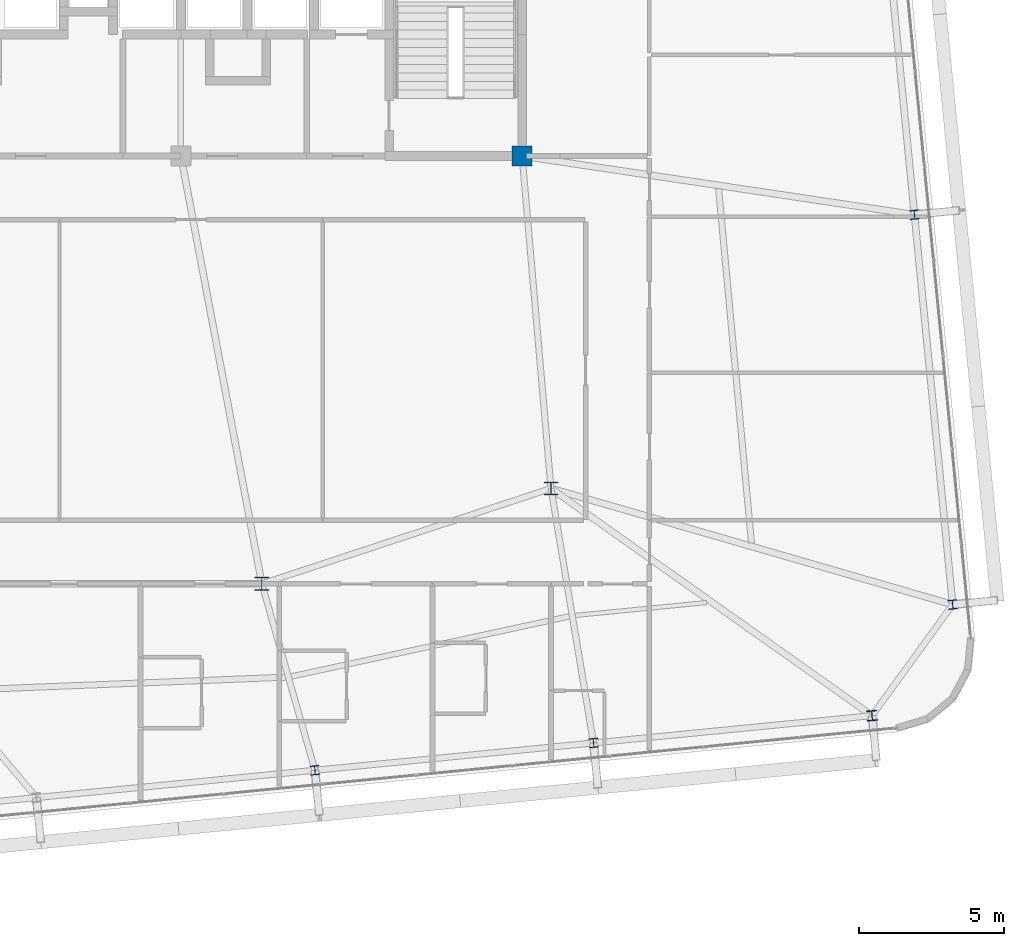
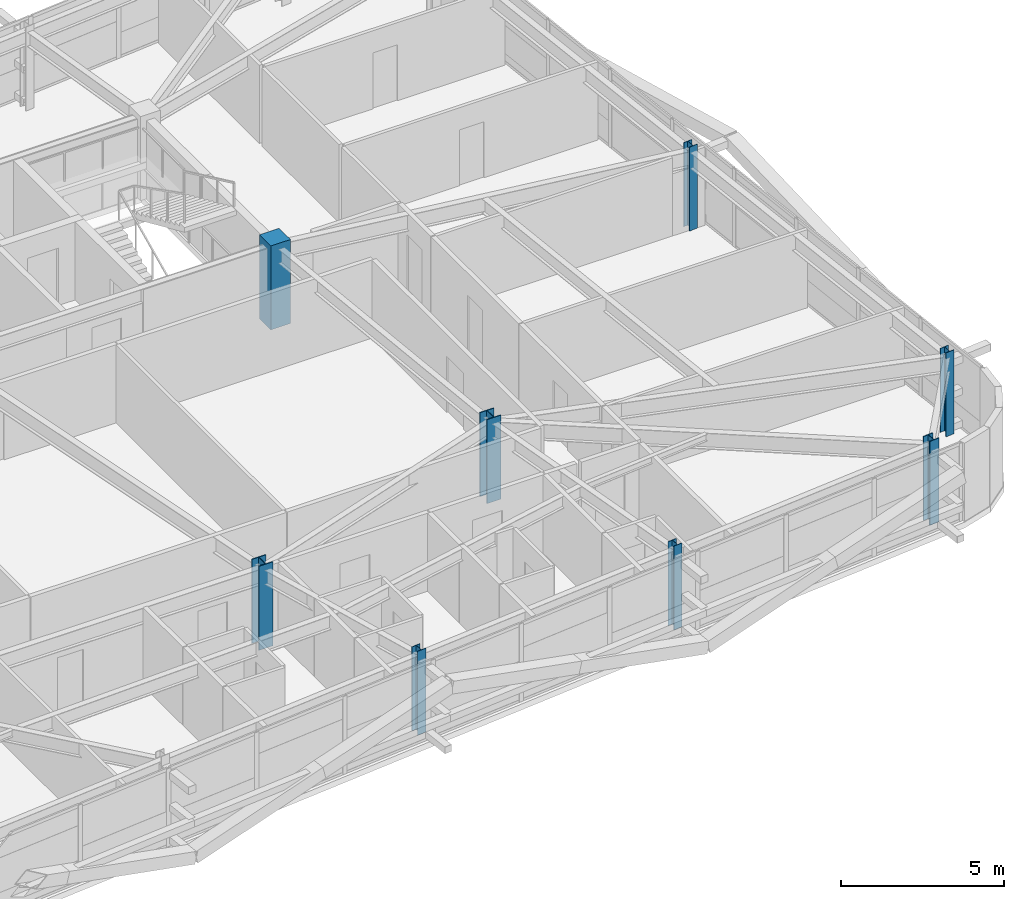
# One storey, part 2 of 53: 8 columns.
"""IFC4 building model written with IfcOpenShell, lengths in metres."""

import ifcopenshell
import ifcopenshell.guid

model = None  # the IFC model being written
_history = None  # IfcOwnerHistory: only IFC2X3 demands one
_inside = {}  # id of a spatial element -> (the spatial element, [elements in it])
_under = {}  # id of a project, library or spatial element -> (it, [spatial elements below it])
_declared = {}  # id of a project -> (the project, [libraries it declares])
_typed = {}  # id of a type object -> (the type object, [elements of that type])
_made_of = {}  # id of a material, layer set ... -> (it, [elements and type objects made of it])


def new_model(schema):
    """Start an empty IFC model of exactly this schema.

    Asked for "IFC4X3", IfcOpenShell would pick the latest addendum, in which some entities
    have other attributes; the version numbers below select the first issue.
    IFC2X3 requires an IfcOwnerHistory on every rooted entity: one is made here for all.
    """
    global model, _history
    if schema == "IFC4X3":
        model = ifcopenshell.file(schema_version=(4, 3, 0, 0))
    else:
        model = ifcopenshell.file(schema=schema)
    _inside.clear()
    _under.clear()
    _declared.clear()
    _typed.clear()
    _made_of.clear()
    _history = None
    if model.schema == "IFC2X3":
        org = make("IfcOrganization", Name="unknown")
        user = make(
            "IfcPersonAndOrganization",
            ThePerson=make("IfcPerson", FamilyName="unknown"),
            TheOrganization=org,
        )
        app = make(
            "IfcApplication",
            ApplicationDeveloper=org,
            Version="unknown",
            ApplicationFullName="unknown",
            ApplicationIdentifier="unknown",
        )
        _history = make(
            "IfcOwnerHistory",
            OwningUser=user,
            OwningApplication=app,
            ChangeAction="ADDED",
            CreationDate=0,
        )
    return model


def make(cls, **values):
    """One entity of the class cls with the attributes given. An attribute that is None is left unset."""
    return model.create_entity(
        cls, **{name: value for name, value in values.items() if value is not None}
    )


def rooted(cls, **values):
    """An entity with a GlobalId (a new one), such as an element, a storey or a relation."""
    return make(cls, GlobalId=ifcopenshell.guid.new(), OwnerHistory=_history, **values)


def si_unit(unit_type, name, prefix=None):
    """IfcSIUnit, for example si_unit("LENGTHUNIT", "METRE", prefix="MILLI")."""
    return make("IfcSIUnit", UnitType=unit_type, Prefix=prefix, Name=name)


def assignment(units):
    """IfcUnitAssignment: the units of a project."""
    return None if units is None else make("IfcUnitAssignment", Units=units)


def point(xyz):
    """IfcCartesianPoint."""
    return None if xyz is None else make("IfcCartesianPoint", Coordinates=xyz)


def direction(xyz):
    """IfcDirection."""
    return None if xyz is None else make("IfcDirection", DirectionRatios=xyz)


def frame(location, z_axis=None, x_axis=None):
    """IfcAxis2Placement3D, a coordinate frame: its origin and axes. An axis left out is left unset."""
    return make(
        "IfcAxis2Placement3D",
        Location=point(location),
        Axis=direction(z_axis),
        RefDirection=direction(x_axis),
    )


def frame_2d(location, x_axis=None):
    """IfcAxis2Placement2D, a coordinate frame in the plane: its origin and x axis."""
    return make(
        "IfcAxis2Placement2D", Location=point(location), RefDirection=direction(x_axis)
    )


def origin():
    """The frame at (0, 0, 0) with its axes left unset."""
    return frame((0.0, 0.0, 0.0))


def origin_2d():
    """The frame at (0, 0) in the plane with its x axis left unset."""
    return frame_2d((0.0, 0.0))


def place(relative_to, where):
    """IfcLocalPlacement: puts the frame where relative to a parent placement (None: the world)."""
    return make(
        "IfcLocalPlacement", PlacementRelTo=relative_to, RelativePlacement=where
    )


def context(
    kind, dimensions, precision=None, world=None, true_north=None, identifier=None
):
    """IfcGeometricRepresentationContext, for example the 3D "Model" context."""
    return make(
        "IfcGeometricRepresentationContext",
        ContextIdentifier=identifier,
        ContextType=kind,
        CoordinateSpaceDimension=dimensions,
        Precision=precision,
        WorldCoordinateSystem=world,
        TrueNorth=true_north,
    )


def subcontext(parent, identifier, kind, view, scale=None):
    """IfcGeometricRepresentationSubContext, for example "Body" below "Model"."""
    return make(
        "IfcGeometricRepresentationSubContext",
        ContextIdentifier=identifier,
        ContextType=kind,
        ParentContext=parent,
        TargetScale=scale,
        TargetView=view,
    )


def project(units=None, contexts=None):
    """IfcProject with its units and contexts."""
    return rooted(
        "IfcProject",
        Name="project",
        RepresentationContexts=contexts,
        UnitsInContext=assignment(units),
    )


def spatial(cls, under=None, at=None, **own):
    """A site, building, storey or space (cls), placed at a placement, below another one or the project."""
    s = rooted(cls, ObjectPlacement=at, **own)
    if under is not None:
        _under.setdefault(under.id(), (under, []))[1].append(s)
    return s


def profile(cls, at=None, kind="AREA", **sizes):
    """A parametric profile (cls). Its sizes go by their IFC names, for example OverallWidth=200.0."""
    return make(cls, ProfileType=kind, Position=at, **sizes)


def rectangle(**sizes):
    """IfcRectangleProfileDef."""
    return profile("IfcRectangleProfileDef", **sizes)


def i_section(**sizes):
    """IfcIShapeProfileDef."""
    return profile("IfcIShapeProfileDef", **sizes)


def extrude(swept, where, along, depth):
    """IfcExtrudedAreaSolid: the profile swept, set in the frame where, extruded along a direction by depth."""
    return make(
        "IfcExtrudedAreaSolid",
        SweptArea=swept,
        Position=where,
        ExtrudedDirection=direction(along),
        Depth=depth,
    )


def shape(context_of_items, identifier, shape_type, items):
    """IfcShapeRepresentation: the items that make up one representation, for example the "Body"."""
    return make(
        "IfcShapeRepresentation",
        ContextOfItems=context_of_items,
        RepresentationIdentifier=identifier,
        RepresentationType=shape_type,
        Items=items,
    )


def source(mapping_origin, context_of_items, identifier, shape_type, items):
    """IfcRepresentationMap: a shape defined once, which mapped items show again and again."""
    return make(
        "IfcRepresentationMap",
        MappingOrigin=mapping_origin,
        MappedRepresentation=shape(context_of_items, identifier, shape_type, items),
    )


def transform(
    local_origin,
    x_axis=None,
    y_axis=None,
    z_axis=None,
    scale=None,
    scale2=None,
    scale3=None,
    uniform=True,
):
    """IfcCartesianTransformationOperator3D, or its non-uniform kind. x_axis, y_axis, z_axis: its Axis1, 2, 3."""
    if uniform:
        return make(
            "IfcCartesianTransformationOperator3D",
            Axis1=direction(x_axis),
            Axis2=direction(y_axis),
            LocalOrigin=point(local_origin),
            Scale=scale,
            Axis3=direction(z_axis),
        )
    return make(
        "IfcCartesianTransformationOperator3DnonUniform",
        Axis1=direction(x_axis),
        Axis2=direction(y_axis),
        LocalOrigin=point(local_origin),
        Scale=scale,
        Axis3=direction(z_axis),
        Scale2=scale2,
        Scale3=scale3,
    )


def mapped(mapping_source, mapping_target):
    """IfcMappedItem: shows the shape of a source again, moved by a transform."""
    return make(
        "IfcMappedItem", MappingSource=mapping_source, MappingTarget=mapping_target
    )


def material(Name=None, Category=None):
    """IfcMaterial."""
    return make("IfcMaterial", Name=Name, Category=Category)


def material_profile(
    of_material, cross_section, Name=None, Category=None, Priority=None
):
    """IfcMaterialProfile: a cross section and its material."""
    return make(
        "IfcMaterialProfile",
        Name=Name,
        Material=of_material,
        Profile=cross_section,
        Priority=Priority,
        Category=Category,
    )


def profile_set(profiles, Name=None, composite=None):
    """IfcMaterialProfileSet."""
    return make(
        "IfcMaterialProfileSet",
        Name=Name,
        MaterialProfiles=profiles,
        CompositeProfile=composite,
    )


def made_of(thing, what):
    """Note that an element or type object is made of a material, layer set ...; save() writes the relation."""
    if what is not None:
        _made_of.setdefault(what.id(), (what, []))[1].append(thing)
    return thing


def type_object(cls, material=None, **own):
    """A type object (cls), such as IfcWallType, which elements share."""
    return made_of(rooted(cls, **own), material)


def element(
    cls,
    number,
    at=None,
    inside=None,
    cuts=None,
    type_object=None,
    material=None,
    context=None,
    identifier="Body",
    shape_type=None,
    held_by="IfcProductDefinitionShape",
    body=None,
    shapes=None,
    **own,
):
    """One element of the class cls, such as IfcWall. Its Tag is "e" and its number.

    at: its placement. inside: the storey or other place that contains it. cuts: it is an
    opening in that element (IfcRelVoidsElement). A single representation is given by context,
    identifier, shape_type and body (its items); several are given by shapes. held_by: the class
    of the entity that holds the representations. save() writes the other relations.
    """
    e = rooted(cls, Tag="e%d" % number, ObjectPlacement=at, **own)
    if body is not None:
        shapes = [shape(context, identifier, shape_type, body)]
    if shapes is not None:
        e.Representation = make(held_by, Representations=shapes)
    if inside is not None:
        _inside.setdefault(inside.id(), (inside, []))[1].append(e)
    if cuts is not None:
        rooted(
            "IfcRelVoidsElement", RelatingBuildingElement=cuts, RelatedOpeningElement=e
        )
    if type_object is not None:
        _typed.setdefault(type_object.id(), (type_object, []))[1].append(e)
    return made_of(e, material)


def aggregate(whole, parts):
    """IfcRelAggregates: a whole, such as a stair, and the parts it consists of."""
    return rooted("IfcRelAggregates", RelatingObject=whole, RelatedObjects=parts)


def save(model, path):
    """Write the relations noted so far, then the file.

    IfcRelAggregates (storeys below a building ...), IfcRelContainedInSpatialStructure (elements
    in a storey), IfcRelDefinesByType, IfcRelAssociatesMaterial and IfcRelDeclares: one each for
    every whole, place, type object, material and project.
    """
    for whole, parts in _under.values():
        aggregate(whole, parts)
    for where, things in _inside.values():
        rooted(
            "IfcRelContainedInSpatialStructure",
            RelatedElements=things,
            RelatingStructure=where,
        )
    for kind, things in _typed.values():
        rooted("IfcRelDefinesByType", RelatedObjects=things, RelatingType=kind)
    for what, things in _made_of.values():
        rooted("IfcRelAssociatesMaterial", RelatedObjects=things, RelatingMaterial=what)
    for by, libraries in _declared.values():
        rooted("IfcRelDeclares", RelatingContext=by, RelatedDefinitions=libraries)
    model.write(path)


model = new_model("IFC4")

# Units and contexts
model_context = context("Model", 3, precision=1e-05, world=origin(), true_north=direction((0.0, 1.0)))
body_context = subcontext(model_context, "Body", "Model", "MODEL_VIEW")
ifc_project = project(units=[si_unit("LENGTHUNIT", "METRE"), si_unit("AREAUNIT", "SQUARE_METRE"), si_unit("VOLUMEUNIT", "CUBIC_METRE"), si_unit("PLANEANGLEUNIT", "RADIAN"), si_unit("MASSUNIT", "GRAM", prefix="KILO")], contexts=[model_context])

# Site, building, storey
site_placement = place(None, origin())
site = spatial("IfcSite", under=ifc_project, at=site_placement, CompositionType="ELEMENT")
building_placement = place(site_placement, origin())
building = spatial("IfcBuilding", under=site, at=building_placement, Name="Taldren Reach Tower", CompositionType="ELEMENT")
storey_placement = place(building_placement, frame((0.0, 0.0, 68.25)))
storey = spatial("IfcBuildingStorey", under=building, at=storey_placement, Name="L20", CompositionType="ELEMENT", Elevation=68.25)

# Columns
ifc_material_1 = material(Name="Steel Gr 350 (350PLUS)", Category="steel")
ifc_material_profile_1 = material_profile(ifc_material_1, i_section(OverallWidth=0.5, OverallDepth=0.464111328125, WebThickness=0.02197265625, FlangeThickness=0.033935546875, at=origin_2d()), Name="500WC340")
ifc_profile_set_1 = profile_set([ifc_material_profile_1], Name="Steel Gr 350 (350PLUS)")
column_type_1 = type_object("IfcColumnType", Name="COL-WC500B", PredefinedType="COLUMN", material=ifc_profile_set_1)
shared_shape_1 = source(origin(), body_context, "Body", "SweptSolid", [
    extrude(i_section(OverallWidth=0.5, OverallDepth=0.464111328125, WebThickness=0.02197265625, FlangeThickness=0.033935546875, at=origin_2d()), origin(), (0.0, 0.0, 1.0), 3.14990234375),
])
for number, where, z_axis, x_axis, name in (
    (1, (42.0, 9.199951171875, 0.0), (0.0, 0.0, 1.0), (1.0, 0.0, 0.0), "Mega column MC-PJE L20"),
    (2, (52.0, 12.5, 0.0), (0.0, 0.0, 1.0), (1.0, 0.0, 0.0), "Mega column MC-SE L20"),
):
    element("IfcColumn", number, at=place(storey_placement, frame(where, z_axis=z_axis, x_axis=x_axis)), inside=storey, type_object=column_type_1, Name=name, PredefinedType="COLUMN", context=body_context, shape_type="MappedRepresentation", body=[
        mapped(shared_shape_1, transform((0.0, 0.0, 0.0), scale=1.0)),
    ])
ifc_material_2 = material(Name="Concrete S65 (65 MPa)", Category="concrete")
ifc_material_profile_2 = material_profile(ifc_material_2, rectangle(XDim=0.699951171875, YDim=0.699951171875, at=origin_2d()), Name="RC-700x700")
ifc_profile_set_2 = profile_set([ifc_material_profile_2], Name="Concrete S65 (65 MPa)")
column_type_2 = type_object("IfcColumnType", Name="COL-RC700", PredefinedType="COLUMN", material=ifc_profile_set_2)
shared_shape_2 = source(origin(), body_context, "Body", "SweptSolid", [
    extrude(rectangle(XDim=0.699951171875, YDim=0.699951171875, at=origin_2d()), origin(), (0.0, 0.0, 1.0), 3.14990234375),
])
column_1_placement = place(storey_placement, frame((51.0, 24.0, 0.0), z_axis=(0.0, 0.0, 1.0), x_axis=(1.0, 0.0, 0.0)))
element("IfcColumn", 3, at=column_1_placement, inside=storey, type_object=column_type_2, Name="Mega column MC-C4 L20", PredefinedType="COLUMN", context=body_context, shape_type="MappedRepresentation", body=[
    mapped(shared_shape_2, transform((0.0, 0.0, 0.0), scale=1.0)),
])
ifc_material_profile_3 = material_profile(ifc_material_1, i_section(OverallWidth=0.35009765625, OverallDepth=0.35595703125, WebThickness=0.01806640625, FlangeThickness=0.028076171875, at=origin_2d()), Name="350WC197")
ifc_profile_set_3 = profile_set([ifc_material_profile_3], Name="Steel Gr 350 (350PLUS)")
column_type_3 = type_object("IfcColumnType", Name="COL-WC350", PredefinedType="COLUMN", material=ifc_profile_set_3)
shared_shape_3 = source(origin(), body_context, "Body", "SweptSolid", [
    extrude(i_section(OverallWidth=0.35009765625, OverallDepth=0.35595703125, WebThickness=0.01806640625, FlangeThickness=0.028076171875, at=origin_2d()), origin(), (0.0, 0.0, 1.0), 3.14990234375),
])
column_2_placement = place(storey_placement, frame((63.103271484375, 4.64306640625, 0.0), z_axis=(0.0, 0.0, 1.0), x_axis=(0.995227399982, 0.097582899759, 0.0)))
element("IfcColumn", 4, at=column_2_placement, inside=storey, type_object=column_type_3, Name="Block B2 perimeter column S6 L20", PredefinedType="COLUMN", context=body_context, shape_type="MappedRepresentation", body=[
    mapped(shared_shape_3, transform((0.0, 0.0, 0.0), scale=1.0)),
])
ifc_material_profile_4 = material_profile(ifc_material_1, i_section(OverallWidth=0.306884765625, OverallDepth=0.31494140625, WebThickness=0.011962890625, FlangeThickness=0.018798828125, at=origin_2d()), Name="310UC118")
ifc_profile_set_4 = profile_set([ifc_material_profile_4], Name="Steel Gr 350 (350PLUS)")
column_type_4 = type_object("IfcColumnType", Name="COL-UC310B", PredefinedType="COLUMN", material=ifc_profile_set_4)
shared_shape_4 = source(origin(), body_context, "Body", "SweptSolid", [
    extrude(i_section(OverallWidth=0.306884765625, OverallDepth=0.31494140625, WebThickness=0.011962890625, FlangeThickness=0.018798828125, at=origin_2d()), origin(), (0.0, 0.0, 1.0), 3.14990234375),
])
for number, where, z_axis, x_axis, name in (
    (5, (43.83544921875, 2.75390625, 0.0), (0.0, 0.0, 1.0), (0.995227399982, 0.097582899759, 0.0), "Block B2 perimeter column S4 L20"),
    (6, (53.469482421875, 3.698486328125, 0.0), (0.0, 0.0, 1.0), (0.995227399982, 0.097582899759, 0.0), "Block B2 perimeter column S5 L20"),
    (7, (65.8916015625, 8.483642578125, 0.0), (0.0, 0.0, 1.0), (0.995227399982, 0.097582899759, 0.0), "Block B2 perimeter column E1 L20"),
    (8, (64.569580078125, 21.968994140625, 0.0), (0.0, 0.0, 1.0), (0.995227399982, 0.097582899759, 0.0), "Block B2 perimeter column E2 L20"),
):
    element("IfcColumn", number, at=place(storey_placement, frame(where, z_axis=z_axis, x_axis=x_axis)), inside=storey, type_object=column_type_4, Name=name, PredefinedType="COLUMN", context=body_context, shape_type="MappedRepresentation", body=[
        mapped(shared_shape_4, transform((0.0, 0.0, 0.0), scale=1.0)),
    ])

save(model, "model.ifc")
